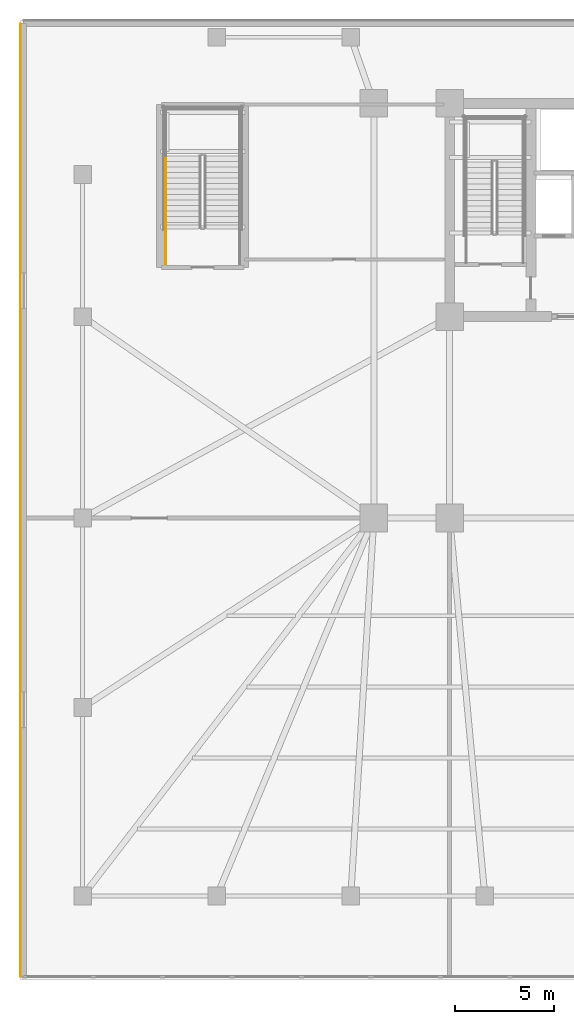
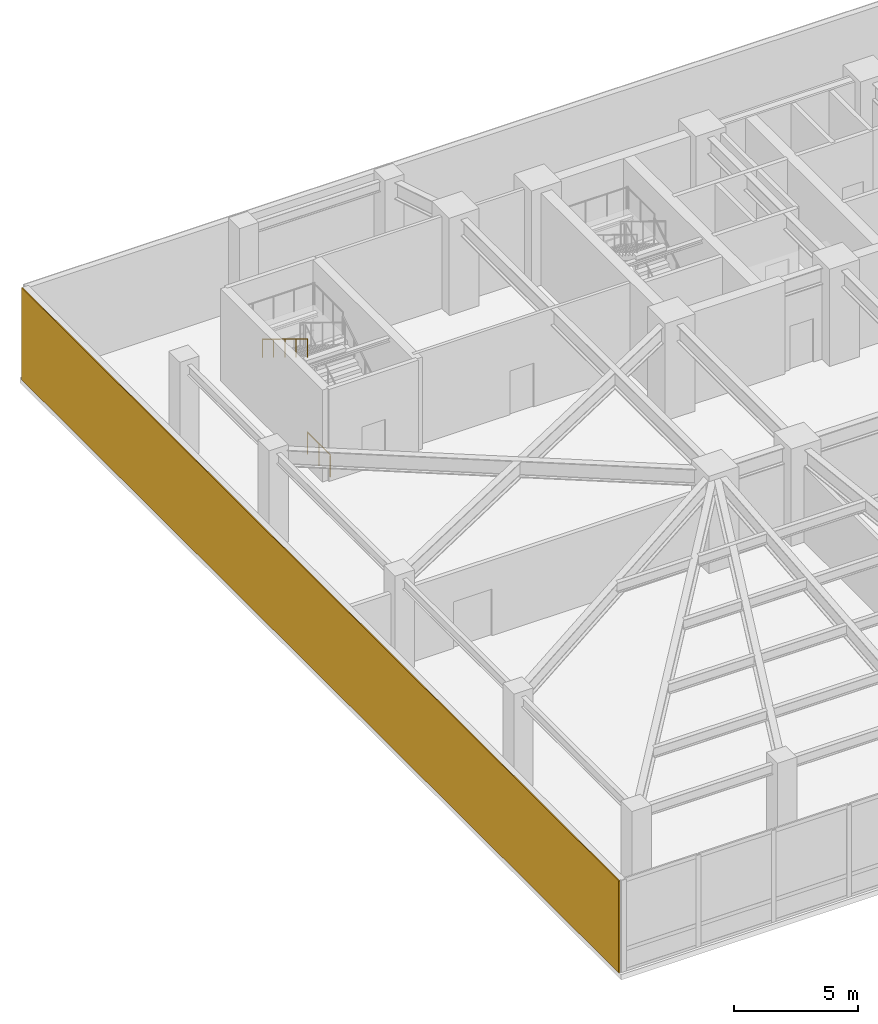
# One storey, part 15 of 19: 2 railings, 1 covering.
"""IFC4 building model written with IfcOpenShell, lengths in metres."""

from ifc_helpers import new_model, si_unit, direction, frame, frame_2d, origin, origin_2d, place, context, subcontext, project, spatial, rectangle, circle, extrude, material, layer, layer_set, type_object, element, save


model = new_model("IFC4")

# Units and contexts
model_context = context("Model", 3, precision=1e-05, world=origin(), true_north=direction((0.0, 1.0)))
body_context = subcontext(model_context, "Body", "Model", "MODEL_VIEW")
ifc_project = project(units=[si_unit("LENGTHUNIT", "METRE"), si_unit("AREAUNIT", "SQUARE_METRE"), si_unit("VOLUMEUNIT", "CUBIC_METRE"), si_unit("PLANEANGLEUNIT", "RADIAN"), si_unit("MASSUNIT", "GRAM", prefix="KILO")], contexts=[model_context])

# Site, building, storey
site_placement = place(None, origin())
site = spatial("IfcSite", under=ifc_project, at=site_placement, CompositionType="ELEMENT")
building_placement = place(site_placement, origin())
building = spatial("IfcBuilding", under=site, at=building_placement, Name="Yelkora Congress Tower", CompositionType="ELEMENT")
storey_placement = place(building_placement, frame((0.0, 0.0, 15.60009765625)))
storey = spatial("IfcBuildingStorey", under=building, at=storey_placement, Name="L03", CompositionType="ELEMENT", Elevation=15.60009765625)

# Covering
ifc_material_1 = material(Name="Anatolian honed limestone ashlar", Category="masonry")
ifc_layer_1 = layer(ifc_material_1, 0.050048828125)
ifc_layer_set_1 = layer_set([ifc_layer_1], Name="Anatolian honed limestone ashlar")
covering_type = type_object("IfcCoveringType", Name="COV-CLAD-LIMESTONE-50", PredefinedType="CLADDING", material=ifc_layer_set_1)
covering_placement = place(storey_placement, frame((1.300048828125, 1.9599609375, 0.0), z_axis=(0.0, 0.0, 1.0), x_axis=(0.0, 1.0, 0.0)))
element("IfcCovering", 1, at=covering_placement, inside=storey, type_object=covering_type, Name="L03 Anatolian Limestone Cladding EW-L03-E01", PredefinedType="CLADDING", context=body_context, shape_type="SweptSolid", body=[
    extrude(rectangle(XDim=48.280029296875, YDim=0.050048828125, at=frame_2d((24.14013671875, 0.0))), origin(), (0.0, 0.0, 1.0), 4.539794921875),
])

# Railings
ifc_material_2 = material(Name="Painted galvanised steel stair well guard with vertical infill", Category="steel")
ifc_layer_2 = layer(ifc_material_2, 0.06005859375)
ifc_layer_set_2 = layer_set([ifc_layer_2], Name="Painted galvanised steel stair well guard with vertical infill")
railing_type_1 = type_object("IfcRailingType", Name="RAIL-STAIR-GUARD-1120", PredefinedType="GUARDRAIL", material=ifc_layer_set_2)
railing_1_placement = place(storey_placement, frame((8.64990234375, 38.050048828125, 0.0)))
element("IfcRailing", 2, at=railing_1_placement, inside=storey, type_object=railing_type_1, Name="ST-P1 L03 Stair Well Guardrail 9", PredefinedType="GUARDRAIL", context=body_context, shape_type="SweptSolid", body=[
    extrude(circle(Radius=0.02392578125, at=origin_2d()), frame((0.0, 0.0, 1.09619140625), z_axis=(0.0, 1.0, 0.0), x_axis=(-1.0, 0.0, 0.0)), (0.0, 0.0, 1.0), 1.849853515625),
    extrude(circle(Radius=0.02099609375, at=origin_2d()), origin(), (0.0, 0.0, 1.0), 1.072021484375),
    extrude(circle(Radius=0.02099609375, at=origin_2d()), frame((0.0, 0.9248046875, 0.0)), (0.0, 0.0, 1.0), 1.072021484375),
    extrude(circle(Radius=0.02099609375, at=origin_2d()), frame((0.0, 1.849853515625, 0.0)), (0.0, 0.0, 1.0), 1.072021484375),
])
ifc_material_3 = material(Name="Brushed stainless steel tubular handrail", Category="steel")
ifc_layer_3 = layer(ifc_material_3, 0.050048828125)
ifc_layer_set_3 = layer_set([ifc_layer_3], Name="Brushed stainless steel tubular handrail")
railing_type_2 = type_object("IfcRailingType", Name="RAIL-STAIR-HAND-920", PredefinedType="HANDRAIL", material=ifc_layer_set_3)
railing_2_placement = place(storey_placement, frame((8.64990234375, 43.5400390625, 2.5712890625)))
element("IfcRailing", 3, at=railing_2_placement, inside=storey, type_object=railing_type_2, Name="ST-P1 L03 Pitch Handrail 2", PredefinedType="HANDRAIL", context=body_context, shape_type="SweptSolid", body=[
    extrude(circle(Radius=0.02392578125, at=origin_2d()), frame((0.0, 0.0, 0.89599609375), z_axis=(0.0, -0.852865859571, 0.52213008492), x_axis=(1.0, 0.0, 0.0)), (0.0, 0.0, 1.0), 4.26806640625),
    extrude(circle(Radius=0.02099609375, at=origin_2d()), origin(), (0.0, 0.0, 1.0), 0.871826171875),
    extrude(circle(Radius=0.02099609375, at=origin_2d()), frame((0.0, -0.91015625, 0.55712890625)), (0.0, 0.0, 1.0), 0.871826171875),
    extrude(circle(Radius=0.02099609375, at=origin_2d()), frame((0.0, -1.820068359375, 1.1142578125)), (0.0, 0.0, 1.0), 0.871826171875),
    extrude(circle(Radius=0.02099609375, at=origin_2d()), frame((0.0, -2.72998046875, 1.67138671875)), (0.0, 0.0, 1.0), 0.871826171875),
    extrude(circle(Radius=0.02099609375, at=origin_2d()), frame((0.0, -3.64013671875, 2.228515625)), (0.0, 0.0, 1.0), 0.871826171875),
])

save(model, "model.ifc")
